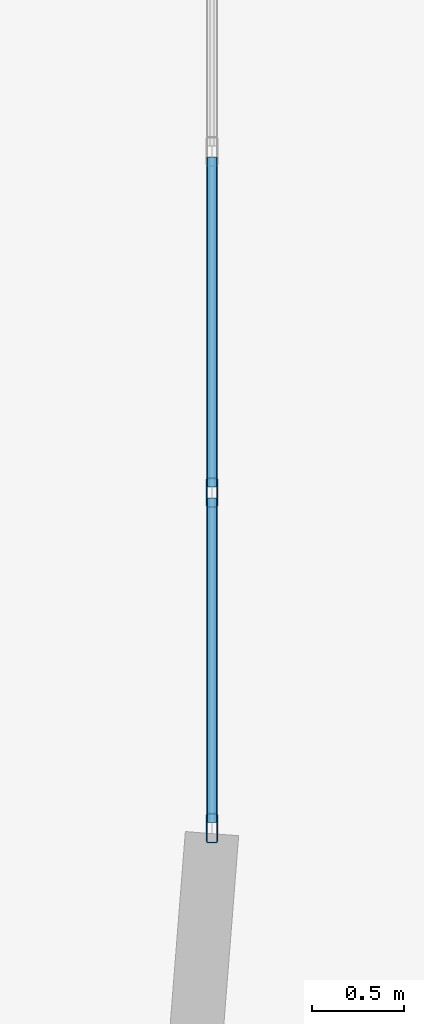
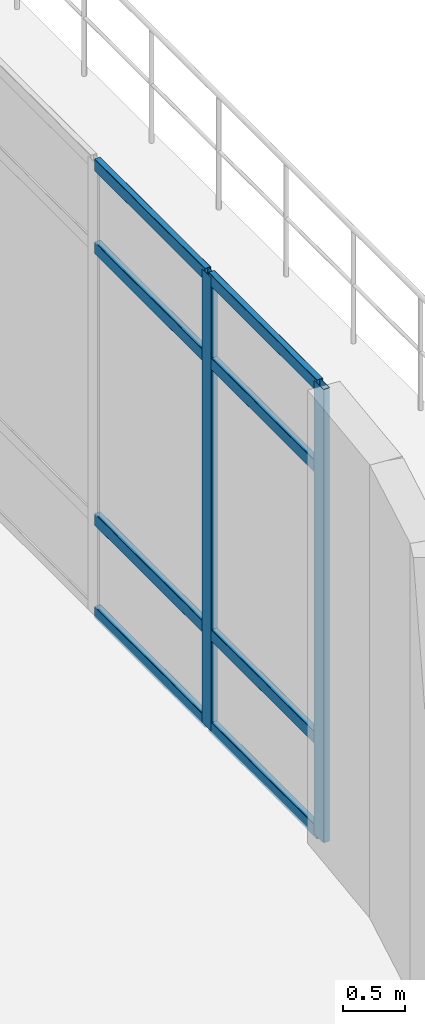
# One storey, part 24 of 41: 10 members, 1 element without a shape of its own.
"""IFC4 building model written with IfcOpenShell, lengths in metres."""

from ifc_helpers import new_model, si_unit, derived_unit, direction, frame, origin, origin_2d, place, context, subcontext, project, spatial, hollow_rectangle, extrude, material, layer, layer_set, material_profile, profile_set, type_object, element, aggregate, save


model = new_model("IFC4")

# Units and contexts
model_context = context("Model", 3, precision=1e-05, world=origin(), true_north=direction((0.0, 1.0)))
body_context = subcontext(model_context, "Body", "Model", "MODEL_VIEW")
ifc_project = project(units=[si_unit("LENGTHUNIT", "METRE"), si_unit("AREAUNIT", "SQUARE_METRE"), si_unit("VOLUMEUNIT", "CUBIC_METRE"), si_unit("PLANEANGLEUNIT", "RADIAN"), si_unit("MASSUNIT", "GRAM", prefix="KILO"), derived_unit("THERMALTRANSMITTANCEUNIT", [(si_unit("MASSUNIT", "GRAM", prefix="KILO"), 1), (si_unit("TIMEUNIT", "SECOND"), -3), (si_unit("THERMODYNAMICTEMPERATUREUNIT", "KELVIN"), -1)])], contexts=[model_context])

# Site, building, storey
site_placement = place(None, origin())
site = spatial("IfcSite", under=ifc_project, at=site_placement, CompositionType="ELEMENT")
building_placement = place(site_placement, origin())
building = spatial("IfcBuilding", under=site, at=building_placement, Name="Qinzheling Arcade Emporium", CompositionType="ELEMENT")
storey_placement = place(building_placement, frame((0.0, 0.0, 36.300048828125)))
storey = spatial("IfcBuildingStorey", under=building, at=storey_placement, Name="L08", CompositionType="ELEMENT", Elevation=36.300048828125)

# Curtain wall, members
ifc_material_1 = material(Name="Anodised aluminium and solar-control double glazing", Category="aluminium")
ifc_layer = layer(ifc_material_1, 0.159912109375, Name="Anodised aluminium and solar-control double glazing", Category="aluminium")
ifc_layer_set = layer_set([ifc_layer], Name="Anodised aluminium and solar-control double glazing")
curtain_wall_type = type_object("IfcCurtainWallType", Name="Arcade Portal Glazed Curtain Wall", PredefinedType="NOTDEFINED", material=ifc_layer_set)
curtain_wall_placement = place(storey_placement, origin())
curtain_wall = element("IfcCurtainWall", 1, at=curtain_wall_placement, inside=storey, type_object=curtain_wall_type, Name="Curtain Wall CW-L08-443", PredefinedType="NOTDEFINED")
ifc_material_2 = material(Name="Anodised aluminium 6063-T6", Category="aluminium")
ifc_material_profile_1 = material_profile(ifc_material_2, hollow_rectangle(XDim=0.06005859375, YDim=0.159912109375, WallThickness=0.00390625, InnerFilletRadius=0.00390625, OuterFilletRadius=0.008056640625, at=origin_2d()), Name="RHS 160x60x4", Category="aluminium")
ifc_profile_set_1 = profile_set([ifc_material_profile_1], Name="Anodised aluminium 6063-T6")
member_type_1 = type_object("IfcMemberType", Name="Curtain Wall Mullion RHS160x60", PredefinedType="MULLION", material=ifc_profile_set_1)
member_1_placement = place(storey_placement, frame((127.60009765625, 83.149658203125, 0.0), z_axis=(0.0, 0.0, 1.0), x_axis=(1.0, 0.0, 0.0)))
member_1 = element("IfcMember", 2, at=member_1_placement, type_object=member_type_1, Name="CW05 mullion 5", PredefinedType="MULLION", context=body_context, shape_type="SweptSolid", body=[
    extrude(hollow_rectangle(XDim=0.06005859375, YDim=0.159912109375, WallThickness=0.00390625, InnerFilletRadius=0.00390625, OuterFilletRadius=0.008056640625, at=origin_2d()), origin(), (0.0, 0.0, 1.0), 4.489990234375),
])
member_2_placement = place(storey_placement, frame((127.60009765625, 81.330078125, 0.0), z_axis=(0.0, 0.0, 1.0), x_axis=(1.0, 0.0, 0.0)))
member_2 = element("IfcMember", 3, at=member_2_placement, type_object=member_type_1, Name="CW05 mullion 6", PredefinedType="MULLION", context=body_context, shape_type="SweptSolid", body=[
    extrude(hollow_rectangle(XDim=0.06005859375, YDim=0.159912109375, WallThickness=0.00390625, InnerFilletRadius=0.00390625, OuterFilletRadius=0.008056640625, at=origin_2d()), origin(), (0.0, 0.0, 1.0), 4.489990234375),
])
ifc_material_profile_2 = material_profile(ifc_material_2, hollow_rectangle(XDim=0.06005859375, YDim=0.1201171875, WallThickness=0.00390625, InnerFilletRadius=0.00390625, OuterFilletRadius=0.008056640625, at=origin_2d()), Name="RHS 120x60x4", Category="aluminium")
ifc_profile_set_2 = profile_set([ifc_material_profile_2], Name="Anodised aluminium 6063-T6")
member_type_2 = type_object("IfcMemberType", Name="Curtain Wall Transom RHS120x60", PredefinedType="USERDEFINED", material=ifc_profile_set_2)
member_3_placement = place(storey_placement, frame((127.60009765625, 84.96923828125, 0.030029296875), z_axis=(0.0, -1.0, 0.0), x_axis=(1.0, 0.0, 0.0)))
member_3 = element("IfcMember", 4, at=member_3_placement, type_object=member_type_2, Name="CW05 transom 4.1", ObjectType="TRANSOM", PredefinedType="USERDEFINED", context=body_context, shape_type="SweptSolid", body=[
    extrude(hollow_rectangle(XDim=0.06005859375, YDim=0.1201171875, WallThickness=0.00390625, InnerFilletRadius=0.00390625, OuterFilletRadius=0.008056640625, at=origin_2d()), origin(), (0.0, 0.0, 1.0), 1.78955078125),
])
member_4_placement = place(storey_placement, frame((127.60009765625, 84.96923828125, 0.949951171875), z_axis=(0.0, -1.0, 0.0), x_axis=(1.0, 0.0, 0.0)))
member_4 = element("IfcMember", 5, at=member_4_placement, type_object=member_type_2, Name="CW05 transom 4.2", ObjectType="TRANSOM", PredefinedType="USERDEFINED", context=body_context, shape_type="SweptSolid", body=[
    extrude(hollow_rectangle(XDim=0.06005859375, YDim=0.1201171875, WallThickness=0.00390625, InnerFilletRadius=0.00390625, OuterFilletRadius=0.008056640625, at=origin_2d()), origin(), (0.0, 0.0, 1.0), 1.78955078125),
])
member_5_placement = place(storey_placement, frame((127.60009765625, 84.96923828125, 3.639892578125), z_axis=(0.0, -1.0, 0.0), x_axis=(1.0, 0.0, 0.0)))
member_5 = element("IfcMember", 6, at=member_5_placement, type_object=member_type_2, Name="CW05 transom 4.3", ObjectType="TRANSOM", PredefinedType="USERDEFINED", context=body_context, shape_type="SweptSolid", body=[
    extrude(hollow_rectangle(XDim=0.06005859375, YDim=0.1201171875, WallThickness=0.00390625, InnerFilletRadius=0.00390625, OuterFilletRadius=0.008056640625, at=origin_2d()), origin(), (0.0, 0.0, 1.0), 1.78955078125),
])
member_6_placement = place(storey_placement, frame((127.60009765625, 84.96923828125, 4.4599609375), z_axis=(0.0, -1.0, 0.0), x_axis=(1.0, 0.0, 0.0)))
member_6 = element("IfcMember", 7, at=member_6_placement, type_object=member_type_2, Name="CW05 transom 4.4", ObjectType="TRANSOM", PredefinedType="USERDEFINED", context=body_context, shape_type="SweptSolid", body=[
    extrude(hollow_rectangle(XDim=0.06005859375, YDim=0.1201171875, WallThickness=0.00390625, InnerFilletRadius=0.00390625, OuterFilletRadius=0.008056640625, at=origin_2d()), origin(), (0.0, 0.0, 1.0), 1.78955078125),
])
member_7_placement = place(storey_placement, frame((127.60009765625, 83.11962890625, 0.030029296875), z_axis=(0.0, -1.0, 0.0), x_axis=(1.0, 0.0, 0.0)))
member_7 = element("IfcMember", 8, at=member_7_placement, type_object=member_type_2, Name="CW05 transom 5.1", ObjectType="TRANSOM", PredefinedType="USERDEFINED", context=body_context, shape_type="SweptSolid", body=[
    extrude(hollow_rectangle(XDim=0.06005859375, YDim=0.1201171875, WallThickness=0.00390625, InnerFilletRadius=0.00390625, OuterFilletRadius=0.008056640625, at=origin_2d()), origin(), (0.0, 0.0, 1.0), 1.759521484375),
])
member_8_placement = place(storey_placement, frame((127.60009765625, 83.11962890625, 0.949951171875), z_axis=(0.0, -1.0, 0.0), x_axis=(1.0, 0.0, 0.0)))
member_8 = element("IfcMember", 9, at=member_8_placement, type_object=member_type_2, Name="CW05 transom 5.2", ObjectType="TRANSOM", PredefinedType="USERDEFINED", context=body_context, shape_type="SweptSolid", body=[
    extrude(hollow_rectangle(XDim=0.06005859375, YDim=0.1201171875, WallThickness=0.00390625, InnerFilletRadius=0.00390625, OuterFilletRadius=0.008056640625, at=origin_2d()), origin(), (0.0, 0.0, 1.0), 1.759521484375),
])
member_9_placement = place(storey_placement, frame((127.60009765625, 83.11962890625, 3.639892578125), z_axis=(0.0, -1.0, 0.0), x_axis=(1.0, 0.0, 0.0)))
member_9 = element("IfcMember", 10, at=member_9_placement, type_object=member_type_2, Name="CW05 transom 5.3", ObjectType="TRANSOM", PredefinedType="USERDEFINED", context=body_context, shape_type="SweptSolid", body=[
    extrude(hollow_rectangle(XDim=0.06005859375, YDim=0.1201171875, WallThickness=0.00390625, InnerFilletRadius=0.00390625, OuterFilletRadius=0.008056640625, at=origin_2d()), origin(), (0.0, 0.0, 1.0), 1.759521484375),
])
member_10_placement = place(storey_placement, frame((127.60009765625, 83.11962890625, 4.4599609375), z_axis=(0.0, -1.0, 0.0), x_axis=(1.0, 0.0, 0.0)))
member_10 = element("IfcMember", 11, at=member_10_placement, type_object=member_type_2, Name="CW05 transom 5.4", ObjectType="TRANSOM", PredefinedType="USERDEFINED", context=body_context, shape_type="SweptSolid", body=[
    extrude(hollow_rectangle(XDim=0.06005859375, YDim=0.1201171875, WallThickness=0.00390625, InnerFilletRadius=0.00390625, OuterFilletRadius=0.008056640625, at=origin_2d()), origin(), (0.0, 0.0, 1.0), 1.759521484375),
])
aggregate(curtain_wall, [member_1, member_2, member_3, member_4, member_5, member_6, member_7, member_8, member_9, member_10])

save(model, "model.ifc")
